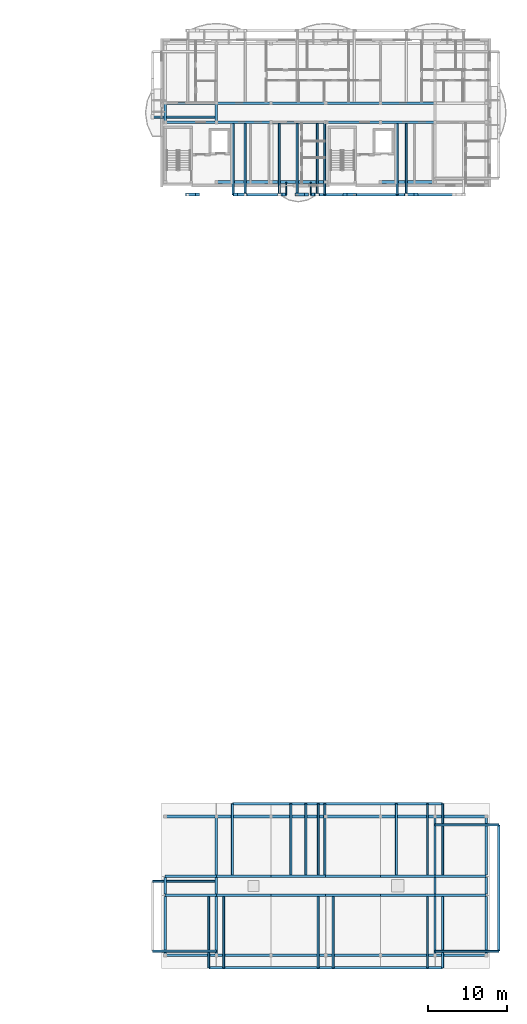
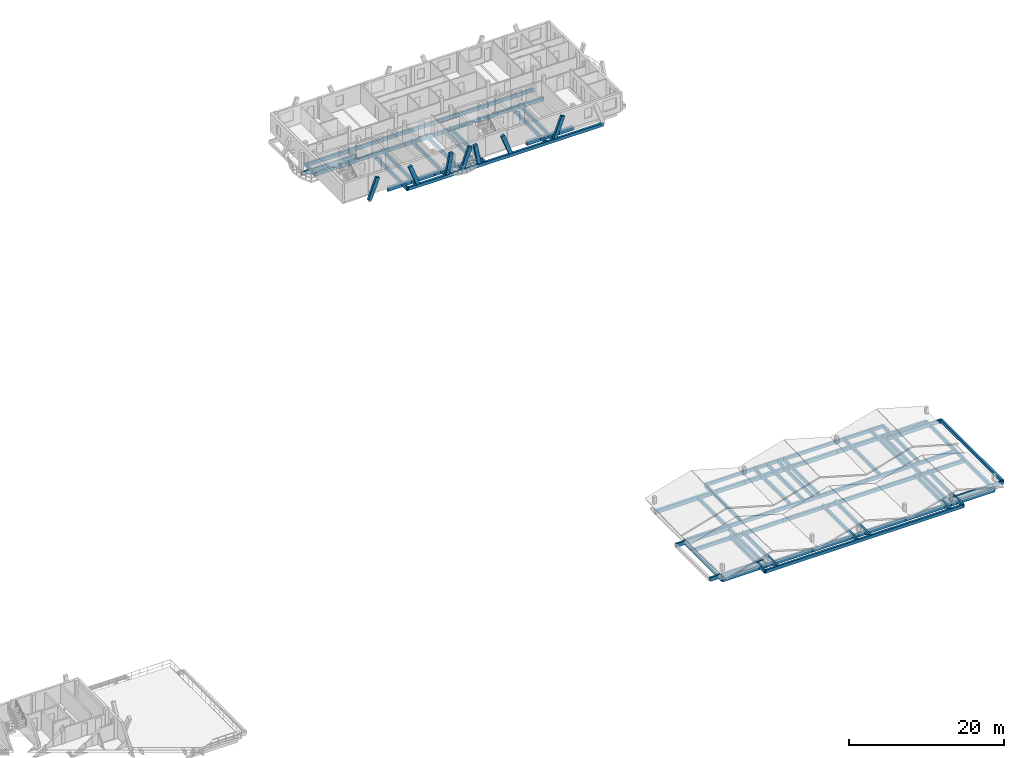
# One storey, part 6 of 33: 83 beams, 7 members.
"""IFC4 building model written with IfcOpenShell, lengths in metres."""

from ifc_helpers import new_model, si_unit, direction, frame, origin, origin_2d, place, context, subcontext, project, spatial, rectangle, i_section, extrude, material, material_profile, profile_set, type_object, element, save


model = new_model("IFC4")

# Units and contexts
model_context = context("Model", 3, precision=1e-05, world=origin(), true_north=direction((0.0, 1.0)))
body_context = subcontext(model_context, "Body", "Model", "MODEL_VIEW")
ifc_project = project(units=[si_unit("LENGTHUNIT", "METRE"), si_unit("AREAUNIT", "SQUARE_METRE"), si_unit("VOLUMEUNIT", "CUBIC_METRE"), si_unit("PLANEANGLEUNIT", "RADIAN"), si_unit("MASSUNIT", "GRAM", prefix="KILO")], contexts=[model_context])

# Site, building, storey
site_placement = place(None, origin())
site = spatial("IfcSite", under=ifc_project, at=site_placement, CompositionType="ELEMENT")
building_placement = place(site_placement, origin())
building = spatial("IfcBuilding", under=site, at=building_placement, Name="Zavelmont Quarter", CompositionType="ELEMENT")
storey_placement = place(building_placement, frame((0.0, 0.0, 30.39990234375)))
storey = spatial("IfcBuildingStorey", under=building, at=storey_placement, Name="L09", CompositionType="ELEMENT", Elevation=30.39990234375)

# Beams
ifc_material_1 = material(Name="Concrete C35/45", Category="concrete")
ifc_material_profile_1 = material_profile(ifc_material_1, rectangle(XDim=0.35009765625, YDim=0.60009765625, at=origin_2d()), Name="RC350X600")
ifc_profile_set_1 = profile_set([ifc_material_profile_1], Name="Concrete C35/45")
beam_type_1 = type_object("IfcBeamType", Name="BM01", PredefinedType="SPANDREL", material=ifc_profile_set_1)
beam_1_placement = place(storey_placement, frame((133.5, 98.0400390625, -0.539794921875), z_axis=(1.0, 0.0, 0.0), x_axis=(0.0, 1.0, 0.0)))
element("IfcBeam", 1, at=beam_1_placement, inside=storey, type_object=beam_type_1, Name="L09 beam BM01 20/P to 21/P", PredefinedType="SPANDREL", context=body_context, shape_type="SweptSolid", body=[
    extrude(rectangle(XDim=0.35009765625, YDim=0.60009765625, at=origin_2d()), origin(), (0.0, 0.0, 1.0), 6.89990234375),
])
for number, where, z_axis, x_axis, name in (
    (2, (140.39990234375, 98.0400390625, -0.539794921875), (1.0, 0.0, 0.0), (0.0, 1.0, 0.0), "L09 beam BM01 21/P to 22/P"),
    (3, (154.199951171875, 98.0400390625, -0.539794921875), (1.0, 0.0, 0.0), (0.0, 1.0, 0.0), "L09 beam BM01 23/P to 24/P"),
):
    element("IfcBeam", number, at=place(storey_placement, frame(where, z_axis=z_axis, x_axis=x_axis)), inside=storey, type_object=beam_type_1, Name=name, PredefinedType="SPANDREL", context=body_context, shape_type="SweptSolid", body=[
        extrude(rectangle(XDim=0.35009765625, YDim=0.60009765625, at=origin_2d()), origin(), (0.0, 0.0, 1.0), 6.900146484375),
    ])
beam_2_placement = place(storey_placement, frame((127.0400390625, 0.43994140625, -0.58984375), z_axis=(1.0, 0.0, 0.0), x_axis=(0.0, 1.0, 0.0)))
element("IfcBeam", 4, at=beam_2_placement, inside=storey, type_object=beam_type_1, Name="L09 beam BM01 19/A to 20/A", PredefinedType="SPANDREL", context=body_context, shape_type="SweptSolid", body=[
    extrude(rectangle(XDim=0.35009765625, YDim=0.60009765625, at=origin_2d()), origin(), (0.0, 0.0, 1.0), 6.4599609375),
])
beam_3_placement = place(storey_placement, frame((133.5, 0.43994140625, -0.58984375), z_axis=(1.0, 0.0, 0.0), x_axis=(0.0, 1.0, 0.0)))
element("IfcBeam", 5, at=beam_3_placement, inside=storey, type_object=beam_type_1, Name="L09 beam BM01 20/A to 21/A", PredefinedType="SPANDREL", context=body_context, shape_type="SweptSolid", body=[
    extrude(rectangle(XDim=0.35009765625, YDim=0.60009765625, at=origin_2d()), origin(), (0.0, 0.0, 1.0), 6.89990234375),
])
beam_4_placement = place(storey_placement, frame((140.39990234375, 0.43994140625, -0.58984375), z_axis=(1.0, 0.0, 0.0), x_axis=(0.0, 1.0, 0.0)))
element("IfcBeam", 6, at=beam_4_placement, inside=storey, type_object=beam_type_1, Name="L09 beam BM01 21/A to 22/A", PredefinedType="SPANDREL", context=body_context, shape_type="SweptSolid", body=[
    extrude(rectangle(XDim=0.35009765625, YDim=0.60009765625, at=origin_2d()), origin(), (0.0, 0.0, 1.0), 6.900146484375),
])
beam_5_placement = place(storey_placement, frame((147.300048828125, 0.43994140625, -0.58984375), z_axis=(1.0, 0.0, 0.0), x_axis=(0.0, 1.0, 0.0)))
element("IfcBeam", 7, at=beam_5_placement, inside=storey, type_object=beam_type_1, Name="L09 beam BM01 22/A to 23/A", PredefinedType="SPANDREL", context=body_context, shape_type="SweptSolid", body=[
    extrude(rectangle(XDim=0.35009765625, YDim=0.60009765625, at=origin_2d()), origin(), (0.0, 0.0, 1.0), 6.89990234375),
])
beam_6_placement = place(storey_placement, frame((154.199951171875, 0.43994140625, -0.58984375), z_axis=(1.0, 0.0, 0.0), x_axis=(0.0, 1.0, 0.0)))
element("IfcBeam", 8, at=beam_6_placement, inside=storey, type_object=beam_type_1, Name="L09 beam BM01 23/A to 24/A", PredefinedType="SPANDREL", context=body_context, shape_type="SweptSolid", body=[
    extrude(rectangle(XDim=0.35009765625, YDim=0.60009765625, at=origin_2d()), origin(), (0.0, 0.0, 1.0), 6.900146484375),
])
for number, where, z_axis, x_axis, name in (
    (9, (161.10009765625, 0.43994140625, -0.58984375), (1.0, 0.0, 0.0), (0.0, 1.0, 0.0), "L09 beam BM01 24/A to 25/A"),
    (10, (127.0400390625, 17.9599609375, -0.58984375), (1.0, 0.0, 0.0), (0.0, 1.0, 0.0), "L09 beam BM01 19/D to 20/D"),
):
    element("IfcBeam", number, at=place(storey_placement, frame(where, z_axis=z_axis, x_axis=x_axis)), inside=storey, type_object=beam_type_1, Name=name, PredefinedType="SPANDREL", context=body_context, shape_type="SweptSolid", body=[
        extrude(rectangle(XDim=0.35009765625, YDim=0.60009765625, at=origin_2d()), origin(), (0.0, 0.0, 1.0), 6.4599609375),
    ])
beam_7_placement = place(storey_placement, frame((133.5, 17.9599609375, -0.58984375), z_axis=(1.0, 0.0, 0.0), x_axis=(0.0, 1.0, 0.0)))
element("IfcBeam", 11, at=beam_7_placement, inside=storey, type_object=beam_type_1, Name="L09 beam BM01 20/D to 21/D", PredefinedType="SPANDREL", context=body_context, shape_type="SweptSolid", body=[
    extrude(rectangle(XDim=0.35009765625, YDim=0.60009765625, at=origin_2d()), origin(), (0.0, 0.0, 1.0), 6.89990234375),
])
beam_8_placement = place(storey_placement, frame((140.39990234375, 17.9599609375, -0.58984375), z_axis=(1.0, 0.0, 0.0), x_axis=(0.0, 1.0, 0.0)))
element("IfcBeam", 12, at=beam_8_placement, inside=storey, type_object=beam_type_1, Name="L09 beam BM01 21/D to 22/D", PredefinedType="SPANDREL", context=body_context, shape_type="SweptSolid", body=[
    extrude(rectangle(XDim=0.35009765625, YDim=0.60009765625, at=origin_2d()), origin(), (0.0, 0.0, 1.0), 6.900146484375),
])
beam_9_placement = place(storey_placement, frame((147.300048828125, 17.9599609375, -0.58984375), z_axis=(1.0, 0.0, 0.0), x_axis=(0.0, 1.0, 0.0)))
element("IfcBeam", 13, at=beam_9_placement, inside=storey, type_object=beam_type_1, Name="L09 beam BM01 22/D to 23/D", PredefinedType="SPANDREL", context=body_context, shape_type="SweptSolid", body=[
    extrude(rectangle(XDim=0.35009765625, YDim=0.60009765625, at=origin_2d()), origin(), (0.0, 0.0, 1.0), 6.89990234375),
])
beam_10_placement = place(storey_placement, frame((154.199951171875, 17.9599609375, -0.58984375), z_axis=(1.0, 0.0, 0.0), x_axis=(0.0, 1.0, 0.0)))
element("IfcBeam", 14, at=beam_10_placement, inside=storey, type_object=beam_type_1, Name="L09 beam BM01 23/D to 24/D", PredefinedType="SPANDREL", context=body_context, shape_type="SweptSolid", body=[
    extrude(rectangle(XDim=0.35009765625, YDim=0.60009765625, at=origin_2d()), origin(), (0.0, 0.0, 1.0), 6.900146484375),
])
beam_11_placement = place(storey_placement, frame((161.10009765625, 17.9599609375, -0.58984375), z_axis=(1.0, 0.0, 0.0), x_axis=(0.0, 1.0, 0.0)))
element("IfcBeam", 15, at=beam_11_placement, inside=storey, type_object=beam_type_1, Name="L09 beam BM01 24/D to 25/D", PredefinedType="SPANDREL", context=body_context, shape_type="SweptSolid", body=[
    extrude(rectangle(XDim=0.35009765625, YDim=0.60009765625, at=origin_2d()), origin(), (0.0, 0.0, 1.0), 6.4599609375),
])
ifc_material_profile_2 = material_profile(ifc_material_1, rectangle(XDim=0.300048828125, YDim=0.550048828125, at=origin_2d()), Name="RC300X550")
ifc_profile_set_2 = profile_set([ifc_material_profile_2], Name="Concrete C35/45")
beam_type_2 = type_object("IfcBeamType", Name="BM02", PredefinedType="SPANDREL", material=ifc_profile_set_2)
beam_12_placement = place(storey_placement, frame((127.0400390625, 105.60009765625, -0.514892578125), z_axis=(1.0, 0.0, 0.0), x_axis=(0.0, 1.0, 0.0)))
element("IfcBeam", 16, at=beam_12_placement, inside=storey, type_object=beam_type_2, Name="L09 beam BM02 19/Q to 20/Q", PredefinedType="SPANDREL", context=body_context, shape_type="SweptSolid", body=[
    extrude(rectangle(XDim=0.300048828125, YDim=0.550048828125, at=origin_2d()), origin(), (0.0, 0.0, 1.0), 6.4599609375),
])
beam_13_placement = place(storey_placement, frame((133.5, 105.60009765625, -0.514892578125), z_axis=(1.0, 0.0, 0.0), x_axis=(0.0, 1.0, 0.0)))
element("IfcBeam", 17, at=beam_13_placement, inside=storey, type_object=beam_type_2, Name="L09 beam BM02 20/Q to 21/Q", PredefinedType="SPANDREL", context=body_context, shape_type="SweptSolid", body=[
    extrude(rectangle(XDim=0.300048828125, YDim=0.550048828125, at=origin_2d()), origin(), (0.0, 0.0, 1.0), 6.89990234375),
])
beam_14_placement = place(storey_placement, frame((140.39990234375, 105.60009765625, -0.514892578125), z_axis=(1.0, 0.0, 0.0), x_axis=(0.0, 1.0, 0.0)))
element("IfcBeam", 18, at=beam_14_placement, inside=storey, type_object=beam_type_2, Name="L09 beam BM02 21/Q to 22/Q", PredefinedType="SPANDREL", context=body_context, shape_type="SweptSolid", body=[
    extrude(rectangle(XDim=0.300048828125, YDim=0.550048828125, at=origin_2d()), origin(), (0.0, 0.0, 1.0), 6.900146484375),
])
beam_15_placement = place(storey_placement, frame((147.300048828125, 105.60009765625, -0.514892578125), z_axis=(1.0, 0.0, 0.0), x_axis=(0.0, 1.0, 0.0)))
element("IfcBeam", 19, at=beam_15_placement, inside=storey, type_object=beam_type_2, Name="L09 beam BM02 22/Q to 23/Q", PredefinedType="SPANDREL", context=body_context, shape_type="SweptSolid", body=[
    extrude(rectangle(XDim=0.300048828125, YDim=0.550048828125, at=origin_2d()), origin(), (0.0, 0.0, 1.0), 6.89990234375),
])
beam_16_placement = place(storey_placement, frame((154.199951171875, 105.60009765625, -0.514892578125), z_axis=(1.0, 0.0, 0.0), x_axis=(0.0, 1.0, 0.0)))
element("IfcBeam", 20, at=beam_16_placement, inside=storey, type_object=beam_type_2, Name="L09 beam BM02 23/Q to 24/Q", PredefinedType="SPANDREL", context=body_context, shape_type="SweptSolid", body=[
    extrude(rectangle(XDim=0.300048828125, YDim=0.550048828125, at=origin_2d()), origin(), (0.0, 0.0, 1.0), 6.900146484375),
])
beam_17_placement = place(storey_placement, frame((127.0400390625, 108.0, -0.514892578125), z_axis=(1.0, 0.0, 0.0), x_axis=(0.0, 1.0, 0.0)))
element("IfcBeam", 21, at=beam_17_placement, inside=storey, type_object=beam_type_2, Name="L09 beam BM02 19/R to 20/R", PredefinedType="SPANDREL", context=body_context, shape_type="SweptSolid", body=[
    extrude(rectangle(XDim=0.300048828125, YDim=0.550048828125, at=origin_2d()), origin(), (0.0, 0.0, 1.0), 6.4599609375),
])
beam_18_placement = place(storey_placement, frame((133.5, 108.0, -0.514892578125), z_axis=(1.0, 0.0, 0.0), x_axis=(0.0, 1.0, 0.0)))
element("IfcBeam", 22, at=beam_18_placement, inside=storey, type_object=beam_type_2, Name="L09 beam BM02 20/R to 21/R", PredefinedType="SPANDREL", context=body_context, shape_type="SweptSolid", body=[
    extrude(rectangle(XDim=0.300048828125, YDim=0.550048828125, at=origin_2d()), origin(), (0.0, 0.0, 1.0), 6.89990234375),
])
beam_19_placement = place(storey_placement, frame((140.39990234375, 108.0, -0.514892578125), z_axis=(1.0, 0.0, 0.0), x_axis=(0.0, 1.0, 0.0)))
element("IfcBeam", 23, at=beam_19_placement, inside=storey, type_object=beam_type_2, Name="L09 beam BM02 21/R to 22/R", PredefinedType="SPANDREL", context=body_context, shape_type="SweptSolid", body=[
    extrude(rectangle(XDim=0.300048828125, YDim=0.550048828125, at=origin_2d()), origin(), (0.0, 0.0, 1.0), 6.900146484375),
])
beam_20_placement = place(storey_placement, frame((147.300048828125, 108.0, -0.514892578125), z_axis=(1.0, 0.0, 0.0), x_axis=(0.0, 1.0, 0.0)))
element("IfcBeam", 24, at=beam_20_placement, inside=storey, type_object=beam_type_2, Name="L09 beam BM02 22/R to 23/R", PredefinedType="SPANDREL", context=body_context, shape_type="SweptSolid", body=[
    extrude(rectangle(XDim=0.300048828125, YDim=0.550048828125, at=origin_2d()), origin(), (0.0, 0.0, 1.0), 6.89990234375),
])
beam_21_placement = place(storey_placement, frame((154.199951171875, 108.0, -0.514892578125), z_axis=(1.0, 0.0, 0.0), x_axis=(0.0, 1.0, 0.0)))
element("IfcBeam", 25, at=beam_21_placement, inside=storey, type_object=beam_type_2, Name="L09 beam BM02 23/R to 24/R", PredefinedType="SPANDREL", context=body_context, shape_type="SweptSolid", body=[
    extrude(rectangle(XDim=0.300048828125, YDim=0.550048828125, at=origin_2d()), origin(), (0.0, 0.0, 1.0), 6.900146484375),
])
for number, where, z_axis, x_axis, name in (
    (26, (127.0400390625, 105.60009765625, -0.514892578125), (0.0, 1.0, 0.0), (-1.0, 0.0, 0.0), "L09 beam BM02 19/Q to 19/R"),
    (27, (133.5, 105.60009765625, -0.514892578125), (0.0, 1.0, 0.0), (-1.0, 0.0, 0.0), "L09 beam BM02 20/Q to 20/R"),
):
    element("IfcBeam", number, at=place(storey_placement, frame(where, z_axis=z_axis, x_axis=x_axis)), inside=storey, type_object=beam_type_2, Name=name, PredefinedType="SPANDREL", context=body_context, shape_type="SweptSolid", body=[
        extrude(rectangle(XDim=0.300048828125, YDim=0.550048828125, at=origin_2d()), origin(), (0.0, 0.0, 1.0), 2.39990234375),
    ])
beam_22_placement = place(storey_placement, frame((127.0400390625, 8.0, -0.56494140625), z_axis=(1.0, 0.0, 0.0), x_axis=(0.0, 1.0, 0.0)))
element("IfcBeam", 28, at=beam_22_placement, inside=storey, type_object=beam_type_2, Name="L09 beam BM02 19/B to 20/B", PredefinedType="SPANDREL", context=body_context, shape_type="SweptSolid", body=[
    extrude(rectangle(XDim=0.300048828125, YDim=0.550048828125, at=origin_2d()), origin(), (0.0, 0.0, 1.0), 6.4599609375),
])
beam_23_placement = place(storey_placement, frame((133.5, 8.0, -0.56494140625), z_axis=(1.0, 0.0, 0.0), x_axis=(0.0, 1.0, 0.0)))
element("IfcBeam", 29, at=beam_23_placement, inside=storey, type_object=beam_type_2, Name="L09 beam BM02 20/B to 21/B", PredefinedType="SPANDREL", context=body_context, shape_type="SweptSolid", body=[
    extrude(rectangle(XDim=0.300048828125, YDim=0.550048828125, at=origin_2d()), origin(), (0.0, 0.0, 1.0), 6.89990234375),
])
beam_24_placement = place(storey_placement, frame((140.39990234375, 8.0, -0.56494140625), z_axis=(1.0, 0.0, 0.0), x_axis=(0.0, 1.0, 0.0)))
element("IfcBeam", 30, at=beam_24_placement, inside=storey, type_object=beam_type_2, Name="L09 beam BM02 21/B to 22/B", PredefinedType="SPANDREL", context=body_context, shape_type="SweptSolid", body=[
    extrude(rectangle(XDim=0.300048828125, YDim=0.550048828125, at=origin_2d()), origin(), (0.0, 0.0, 1.0), 6.900146484375),
])
beam_25_placement = place(storey_placement, frame((147.300048828125, 8.0, -0.56494140625), z_axis=(1.0, 0.0, 0.0), x_axis=(0.0, 1.0, 0.0)))
element("IfcBeam", 31, at=beam_25_placement, inside=storey, type_object=beam_type_2, Name="L09 beam BM02 22/B to 23/B", PredefinedType="SPANDREL", context=body_context, shape_type="SweptSolid", body=[
    extrude(rectangle(XDim=0.300048828125, YDim=0.550048828125, at=origin_2d()), origin(), (0.0, 0.0, 1.0), 6.89990234375),
])
beam_26_placement = place(storey_placement, frame((154.199951171875, 8.0, -0.56494140625), z_axis=(1.0, 0.0, 0.0), x_axis=(0.0, 1.0, 0.0)))
element("IfcBeam", 32, at=beam_26_placement, inside=storey, type_object=beam_type_2, Name="L09 beam BM02 23/B to 24/B", PredefinedType="SPANDREL", context=body_context, shape_type="SweptSolid", body=[
    extrude(rectangle(XDim=0.300048828125, YDim=0.550048828125, at=origin_2d()), origin(), (0.0, 0.0, 1.0), 6.900146484375),
])
for number, where, z_axis, x_axis, name in (
    (33, (161.10009765625, 8.0, -0.56494140625), (1.0, 0.0, 0.0), (0.0, 1.0, 0.0), "L09 beam BM02 24/B to 25/B"),
    (34, (127.0400390625, 10.39990234375, -0.56494140625), (1.0, 0.0, 0.0), (0.0, 1.0, 0.0), "L09 beam BM02 19/C to 20/C"),
):
    element("IfcBeam", number, at=place(storey_placement, frame(where, z_axis=z_axis, x_axis=x_axis)), inside=storey, type_object=beam_type_2, Name=name, PredefinedType="SPANDREL", context=body_context, shape_type="SweptSolid", body=[
        extrude(rectangle(XDim=0.300048828125, YDim=0.550048828125, at=origin_2d()), origin(), (0.0, 0.0, 1.0), 6.4599609375),
    ])
beam_27_placement = place(storey_placement, frame((133.5, 10.39990234375, -0.56494140625), z_axis=(1.0, 0.0, 0.0), x_axis=(0.0, 1.0, 0.0)))
element("IfcBeam", 35, at=beam_27_placement, inside=storey, type_object=beam_type_2, Name="L09 beam BM02 20/C to 21/C", PredefinedType="SPANDREL", context=body_context, shape_type="SweptSolid", body=[
    extrude(rectangle(XDim=0.300048828125, YDim=0.550048828125, at=origin_2d()), origin(), (0.0, 0.0, 1.0), 6.89990234375),
])
beam_28_placement = place(storey_placement, frame((140.39990234375, 10.39990234375, -0.56494140625), z_axis=(1.0, 0.0, 0.0), x_axis=(0.0, 1.0, 0.0)))
element("IfcBeam", 36, at=beam_28_placement, inside=storey, type_object=beam_type_2, Name="L09 beam BM02 21/C to 22/C", PredefinedType="SPANDREL", context=body_context, shape_type="SweptSolid", body=[
    extrude(rectangle(XDim=0.300048828125, YDim=0.550048828125, at=origin_2d()), origin(), (0.0, 0.0, 1.0), 6.900146484375),
])
beam_29_placement = place(storey_placement, frame((147.300048828125, 10.39990234375, -0.56494140625), z_axis=(1.0, 0.0, 0.0), x_axis=(0.0, 1.0, 0.0)))
element("IfcBeam", 37, at=beam_29_placement, inside=storey, type_object=beam_type_2, Name="L09 beam BM02 22/C to 23/C", PredefinedType="SPANDREL", context=body_context, shape_type="SweptSolid", body=[
    extrude(rectangle(XDim=0.300048828125, YDim=0.550048828125, at=origin_2d()), origin(), (0.0, 0.0, 1.0), 6.89990234375),
])
beam_30_placement = place(storey_placement, frame((154.199951171875, 10.39990234375, -0.56494140625), z_axis=(1.0, 0.0, 0.0), x_axis=(0.0, 1.0, 0.0)))
element("IfcBeam", 38, at=beam_30_placement, inside=storey, type_object=beam_type_2, Name="L09 beam BM02 23/C to 24/C", PredefinedType="SPANDREL", context=body_context, shape_type="SweptSolid", body=[
    extrude(rectangle(XDim=0.300048828125, YDim=0.550048828125, at=origin_2d()), origin(), (0.0, 0.0, 1.0), 6.900146484375),
])
beam_31_placement = place(storey_placement, frame((161.10009765625, 10.39990234375, -0.56494140625), z_axis=(1.0, 0.0, 0.0), x_axis=(0.0, 1.0, 0.0)))
element("IfcBeam", 39, at=beam_31_placement, inside=storey, type_object=beam_type_2, Name="L09 beam BM02 24/C to 25/C", PredefinedType="SPANDREL", context=body_context, shape_type="SweptSolid", body=[
    extrude(rectangle(XDim=0.300048828125, YDim=0.550048828125, at=origin_2d()), origin(), (0.0, 0.0, 1.0), 6.4599609375),
])
beam_32_placement = place(storey_placement, frame((127.0400390625, 0.43994140625, -0.56494140625), z_axis=(0.0, 1.0, 0.0), x_axis=(-1.0, 0.0, 0.0)))
element("IfcBeam", 40, at=beam_32_placement, inside=storey, type_object=beam_type_2, Name="L09 beam BM02 19/A to 19/B", PredefinedType="SPANDREL", context=body_context, shape_type="SweptSolid", body=[
    extrude(rectangle(XDim=0.300048828125, YDim=0.550048828125, at=origin_2d()), origin(), (0.0, 0.0, 1.0), 7.420166015625),
])
beam_33_placement = place(storey_placement, frame((127.0400390625, 8.139892578125, -0.56494140625), z_axis=(0.0, 1.0, 0.0), x_axis=(-1.0, 0.0, 0.0)))
element("IfcBeam", 41, at=beam_33_placement, inside=storey, type_object=beam_type_2, Name="L09 beam BM02 19/B to 19/C", PredefinedType="SPANDREL", context=body_context, shape_type="SweptSolid", body=[
    extrude(rectangle(XDim=0.300048828125, YDim=0.550048828125, at=origin_2d()), origin(), (0.0, 0.0, 1.0), 2.1201171875),
])
beam_34_placement = place(storey_placement, frame((133.5, 0.43994140625, -0.56494140625), z_axis=(0.0, 1.0, 0.0), x_axis=(-1.0, 0.0, 0.0)))
element("IfcBeam", 42, at=beam_34_placement, inside=storey, type_object=beam_type_2, Name="L09 beam BM02 20/A to 20/B", PredefinedType="SPANDREL", context=body_context, shape_type="SweptSolid", body=[
    extrude(rectangle(XDim=0.300048828125, YDim=0.550048828125, at=origin_2d()), origin(), (0.0, 0.0, 1.0), 7.420166015625),
])
beam_35_placement = place(storey_placement, frame((133.5, 8.139892578125, -0.56494140625), z_axis=(0.0, 1.0, 0.0), x_axis=(-1.0, 0.0, 0.0)))
element("IfcBeam", 43, at=beam_35_placement, inside=storey, type_object=beam_type_2, Name="L09 beam BM02 20/B to 20/C", PredefinedType="SPANDREL", context=body_context, shape_type="SweptSolid", body=[
    extrude(rectangle(XDim=0.300048828125, YDim=0.550048828125, at=origin_2d()), origin(), (0.0, 0.0, 1.0), 2.1201171875),
])
beam_36_placement = place(storey_placement, frame((133.5, 10.5400390625, -0.56494140625), z_axis=(0.0, 1.0, 0.0), x_axis=(-1.0, 0.0, 0.0)))
element("IfcBeam", 44, at=beam_36_placement, inside=storey, type_object=beam_type_2, Name="L09 beam BM02 20/C to 20/D", PredefinedType="SPANDREL", context=body_context, shape_type="SweptSolid", body=[
    extrude(rectangle(XDim=0.300048828125, YDim=0.550048828125, at=origin_2d()), origin(), (0.0, 0.0, 1.0), 7.419921875),
])
beam_37_placement = place(storey_placement, frame((161.10009765625, 0.43994140625, -0.56494140625), z_axis=(0.0, 1.0, 0.0), x_axis=(-1.0, 0.0, 0.0)))
element("IfcBeam", 45, at=beam_37_placement, inside=storey, type_object=beam_type_2, Name="L09 beam BM02 24/A to 24/B", PredefinedType="SPANDREL", context=body_context, shape_type="SweptSolid", body=[
    extrude(rectangle(XDim=0.300048828125, YDim=0.550048828125, at=origin_2d()), origin(), (0.0, 0.0, 1.0), 7.420166015625),
])
beam_38_placement = place(storey_placement, frame((161.10009765625, 8.139892578125, -0.56494140625), z_axis=(0.0, 1.0, 0.0), x_axis=(-1.0, 0.0, 0.0)))
element("IfcBeam", 46, at=beam_38_placement, inside=storey, type_object=beam_type_2, Name="L09 beam BM02 24/B to 24/C", PredefinedType="SPANDREL", context=body_context, shape_type="SweptSolid", body=[
    extrude(rectangle(XDim=0.300048828125, YDim=0.550048828125, at=origin_2d()), origin(), (0.0, 0.0, 1.0), 2.1201171875),
])
beam_39_placement = place(storey_placement, frame((161.10009765625, 10.5400390625, -0.56494140625), z_axis=(0.0, 1.0, 0.0), x_axis=(-1.0, 0.0, 0.0)))
element("IfcBeam", 47, at=beam_39_placement, inside=storey, type_object=beam_type_2, Name="L09 beam BM02 24/C to 24/D", PredefinedType="SPANDREL", context=body_context, shape_type="SweptSolid", body=[
    extrude(rectangle(XDim=0.300048828125, YDim=0.550048828125, at=origin_2d()), origin(), (0.0, 0.0, 1.0), 7.419921875),
])
beam_40_placement = place(storey_placement, frame((167.56005859375, 0.43994140625, -0.56494140625), z_axis=(0.0, 1.0, 0.0), x_axis=(-1.0, 0.0, 0.0)))
element("IfcBeam", 48, at=beam_40_placement, inside=storey, type_object=beam_type_2, Name="L09 beam BM02 25/A to 25/B", PredefinedType="SPANDREL", context=body_context, shape_type="SweptSolid", body=[
    extrude(rectangle(XDim=0.300048828125, YDim=0.550048828125, at=origin_2d()), origin(), (0.0, 0.0, 1.0), 7.420166015625),
])
beam_41_placement = place(storey_placement, frame((167.56005859375, 8.139892578125, -0.56494140625), z_axis=(0.0, 1.0, 0.0), x_axis=(-1.0, 0.0, 0.0)))
element("IfcBeam", 49, at=beam_41_placement, inside=storey, type_object=beam_type_2, Name="L09 beam BM02 25/B to 25/C", PredefinedType="SPANDREL", context=body_context, shape_type="SweptSolid", body=[
    extrude(rectangle(XDim=0.300048828125, YDim=0.550048828125, at=origin_2d()), origin(), (0.0, 0.0, 1.0), 2.1201171875),
])
beam_42_placement = place(storey_placement, frame((167.56005859375, 10.5400390625, -0.56494140625), z_axis=(0.0, 1.0, 0.0), x_axis=(-1.0, 0.0, 0.0)))
element("IfcBeam", 50, at=beam_42_placement, inside=storey, type_object=beam_type_2, Name="L09 beam BM02 25/C to 25/D", PredefinedType="SPANDREL", context=body_context, shape_type="SweptSolid", body=[
    extrude(rectangle(XDim=0.300048828125, YDim=0.550048828125, at=origin_2d()), origin(), (0.0, 0.0, 1.0), 7.419921875),
])
ifc_material_profile_3 = material_profile(ifc_material_1, rectangle(XDim=0.300048828125, YDim=0.5, at=origin_2d()), Name="RC300X500")
ifc_profile_set_3 = profile_set([ifc_material_profile_3], Name="Concrete C35/45")
beam_type_3 = type_object("IfcBeamType", Name="BM03", PredefinedType="BEAM", material=ifc_profile_set_3)
beam_43_placement = place(storey_placement, frame((135.625, 96.449951171875, -0.25), z_axis=(1.0, 0.0, 0.0), x_axis=(0.0, 1.0, 0.0)))
element("IfcBeam", 51, at=beam_43_placement, inside=storey, type_object=beam_type_3, Name="L09 beam BM03 20/P to 25/P", PredefinedType="BEAM", context=body_context, shape_type="SweptSolid", body=[
    extrude(rectangle(XDim=0.300048828125, YDim=0.5, at=origin_2d()), origin(), (0.0, 0.0, 1.0), 29.092041015625),
])
beam_44_placement = place(storey_placement, frame((132.550048828125, -1.14990234375, -0.25), z_axis=(1.0, 0.0, 0.0), x_axis=(0.0, 1.0, 0.0)))
element("IfcBeam", 52, at=beam_44_placement, inside=storey, type_object=beam_type_3, Name="L09 beam BM03 20/A to 24/A", PredefinedType="BEAM", context=body_context, shape_type="SweptSolid", body=[
    extrude(rectangle(XDim=0.300048828125, YDim=0.5, at=origin_2d()), origin(), (0.0, 0.0, 1.0), 29.5),
])
beam_45_placement = place(storey_placement, frame((135.52490234375, 19.550048828125, -0.25), z_axis=(1.0, 0.0, 0.0), x_axis=(0.0, 1.0, 0.0)))
element("IfcBeam", 53, at=beam_45_placement, inside=storey, type_object=beam_type_3, Name="L09 beam BM03 20/D to 24/D", PredefinedType="BEAM", context=body_context, shape_type="SweptSolid", body=[
    extrude(rectangle(XDim=0.300048828125, YDim=0.5, at=origin_2d()), origin(), (0.0, 0.0, 1.0), 26.525146484375),
])
beam_46_placement = place(storey_placement, frame((169.14990234375, 0.949951171875, -0.25), z_axis=(0.0, 1.0, 0.0), x_axis=(-1.0, 0.0, 0.0)))
element("IfcBeam", 54, at=beam_46_placement, inside=storey, type_object=beam_type_3, Name="L09 beam BM03 25/A to 25/D", PredefinedType="BEAM", context=body_context, shape_type="SweptSolid", body=[
    extrude(rectangle(XDim=0.300048828125, YDim=0.5, at=origin_2d()), origin(), (0.0, 0.0, 1.0), 15.949951171875),
])
ifc_material_2 = material(Name="Steel S355", Category="steel")
ifc_material_profile_4 = material_profile(ifc_material_2, i_section(OverallWidth=0.110107421875, OverallDepth=0.219970703125, WebThickness=0.005859375, FlangeThickness=0.00927734375, at=origin_2d()), Name="IPE 220")
ifc_profile_set_4 = profile_set([ifc_material_profile_4], Name="Steel S355")
beam_type_4 = type_object("IfcBeamType", Name="BM15", PredefinedType="JOIST", material=ifc_profile_set_4)
for number, where, z_axis, x_axis, name in (
    (55, (142.300048828125, 98.0400390625, -0.35693359375), (0.0, -1.0, 0.0), (1.0, 0.0, 0.0), "L09 beam BM15 21/P to 21/P"),
    (56, (145.39990234375, 98.0400390625, -0.35693359375), (0.0, -1.0, 0.0), (1.0, 0.0, 0.0), "L09 beam BM15 22/P to 22/P"),
):
    element("IfcBeam", number, at=place(storey_placement, frame(where, z_axis=z_axis, x_axis=x_axis)), inside=storey, type_object=beam_type_4, Name=name, PredefinedType="JOIST", context=body_context, shape_type="SweptSolid", body=[
        extrude(i_section(OverallWidth=0.110107421875, OverallDepth=0.219970703125, WebThickness=0.005859375, FlangeThickness=0.00927734375, at=origin_2d()), origin(), (0.0, 0.0, 1.0), 1.590087890625),
    ])
ifc_material_3 = material(Name="Concrete C40/50", Category="concrete")
ifc_material_profile_5 = material_profile(ifc_material_3, rectangle(XDim=0.25, YDim=0.60009765625, at=origin_2d()), Name="RC250X600")
ifc_profile_set_5 = profile_set([ifc_material_profile_5], Name="Concrete C40/50")
beam_type_5 = type_object("IfcBeamType", Name="BM18", PredefinedType="BEAM", material=ifc_profile_set_5)
for number, where, z_axis, x_axis, name in (
    (57, (135.625, 105.60009765625, -0.2998046875), (0.0, -1.0, 0.0), (1.0, 0.0, 0.0), "L09 beam BM18 20/Q to 20/P"),
    (58, (137.116943359375, 105.60009765625, -0.2998046875), (0.0, -1.0, 0.0), (1.0, 0.0, 0.0), "L09 beam BM18 21/Q to 21/P"),
    (59, (143.68310546875, 105.60009765625, -0.2998046875), (0.0, -1.0, 0.0), (1.0, 0.0, 0.0), "L09 beam BM18 21/Q to 21/P"),
    (60, (147.199951171875, 105.60009765625, -0.2998046875), (0.0, -1.0, 0.0), (1.0, 0.0, 0.0), "L09 beam BM18 22/Q to 22/P"),
    (61, (156.324951171875, 105.60009765625, -0.2998046875), (0.0, -1.0, 0.0), (1.0, 0.0, 0.0), "L09 beam BM18 23/Q to 23/P"),
    (62, (157.483154296875, 105.60009765625, -0.2998046875), (0.0, -1.0, 0.0), (1.0, 0.0, 0.0), "L09 beam BM18 23/Q to 23/P"),
    (63, (141.45947265625, 105.60009765625, -0.2998046875), (0.0, -1.0, 0.0), (1.0, 0.0, 0.0), "L09 beam BM18 21/Q to 21/P"),
    (64, (146.240478515625, 105.60009765625, -0.2998046875), (0.0, -1.0, 0.0), (1.0, 0.0, 0.0), "L09 beam BM18 22/Q to 22/P"),
):
    element("IfcBeam", number, at=place(storey_placement, frame(where, z_axis=z_axis, x_axis=x_axis)), inside=storey, type_object=beam_type_5, Name=name, PredefinedType="BEAM", context=body_context, shape_type="SweptSolid", body=[
        extrude(rectangle(XDim=0.25, YDim=0.60009765625, at=origin_2d()), origin(), (0.0, 0.0, 1.0), 9.150146484375),
    ])
beam_47_placement = place(storey_placement, frame((133.5, 106.25, -0.2998046875), z_axis=(-1.0, 0.0, 0.0), x_axis=(0.0, -1.0, 0.0)))
element("IfcBeam", 65, at=beam_47_placement, inside=storey, type_object=beam_type_5, Name="L09 beam BM18 20/Q to 19/Q", PredefinedType="BEAM", context=body_context, shape_type="SweptSolid", body=[
    extrude(rectangle(XDim=0.25, YDim=0.60009765625, at=origin_2d()), origin(), (0.0, 0.0, 1.0), 8.050048828125),
])
for number, where, z_axis, x_axis, name in (
    (66, (132.550048828125, 8.0, -0.2998046875), (0.0, -1.0, 0.0), (1.0, 0.0, 0.0), "L09 beam BM18 20/B to 20/A"),
    (67, (134.449951171875, 8.0, -0.2998046875), (0.0, -1.0, 0.0), (1.0, 0.0, 0.0), "L09 beam BM18 20/B to 20/A"),
    (68, (146.35009765625, 8.0, -0.2998046875), (0.0, -1.0, 0.0), (1.0, 0.0, 0.0), "L09 beam BM18 22/B to 22/A"),
    (69, (148.25, 8.0, -0.2998046875), (0.0, -1.0, 0.0), (1.0, 0.0, 0.0), "L09 beam BM18 22/B to 22/A"),
    (70, (160.14990234375, 8.0, -0.2998046875), (0.0, -1.0, 0.0), (1.0, 0.0, 0.0), "L09 beam BM18 24/B to 24/A"),
    (71, (162.050048828125, 8.0, -0.2998046875), (0.0, -1.0, 0.0), (1.0, 0.0, 0.0), "L09 beam BM18 24/B to 24/A"),
):
    element("IfcBeam", number, at=place(storey_placement, frame(where, z_axis=z_axis, x_axis=x_axis)), inside=storey, type_object=beam_type_5, Name=name, PredefinedType="BEAM", context=body_context, shape_type="SweptSolid", body=[
        extrude(rectangle(XDim=0.25, YDim=0.60009765625, at=origin_2d()), origin(), (0.0, 0.0, 1.0), 9.14990234375),
    ])
for number, where, z_axis, x_axis, name in (
    (72, (135.52490234375, 10.39990234375, -0.2998046875), (0.0, 1.0, 0.0), (-1.0, 0.0, 0.0), "L09 beam BM18 20/C to 20/D"),
    (73, (146.35009765625, 10.39990234375, -0.2998046875), (0.0, 1.0, 0.0), (-1.0, 0.0, 0.0), "L09 beam BM18 22/C to 22/D"),
    (74, (147.199951171875, 10.39990234375, -0.2998046875), (0.0, 1.0, 0.0), (-1.0, 0.0, 0.0), "L09 beam BM18 22/C to 22/D"),
    (75, (156.22509765625, 10.39990234375, -0.2998046875), (0.0, 1.0, 0.0), (-1.0, 0.0, 0.0), "L09 beam BM18 23/C to 23/D"),
    (76, (160.14990234375, 10.39990234375, -0.2998046875), (0.0, 1.0, 0.0), (-1.0, 0.0, 0.0), "L09 beam BM18 24/C to 24/D"),
    (77, (162.050048828125, 10.39990234375, -0.2998046875), (0.0, 1.0, 0.0), (-1.0, 0.0, 0.0), "L09 beam BM18 24/C to 24/D"),
    (78, (142.89990234375, 10.39990234375, -0.2998046875), (0.0, 1.0, 0.0), (-1.0, 0.0, 0.0), "L09 beam BM18 21/C to 21/D"),
    (79, (144.800048828125, 10.39990234375, -0.2998046875), (0.0, 1.0, 0.0), (-1.0, 0.0, 0.0), "L09 beam BM18 22/C to 22/D"),
):
    element("IfcBeam", number, at=place(storey_placement, frame(where, z_axis=z_axis, x_axis=x_axis)), inside=storey, type_object=beam_type_5, Name=name, PredefinedType="BEAM", context=body_context, shape_type="SweptSolid", body=[
        extrude(rectangle(XDim=0.25, YDim=0.60009765625, at=origin_2d()), origin(), (0.0, 0.0, 1.0), 9.150146484375),
    ])
for number, where, z_axis, x_axis, name in (
    (80, (161.10009765625, 0.949951171875, -0.2998046875), (1.0, 0.0, 0.0), (0.0, 1.0, 0.0), "L09 beam BM18 24/A to 25/A"),
    (81, (161.10009765625, 16.89990234375, -0.2998046875), (1.0, 0.0, 0.0), (0.0, 1.0, 0.0), "L09 beam BM18 24/D to 25/D"),
):
    element("IfcBeam", number, at=place(storey_placement, frame(where, z_axis=z_axis, x_axis=x_axis)), inside=storey, type_object=beam_type_5, Name=name, PredefinedType="BEAM", context=body_context, shape_type="SweptSolid", body=[
        extrude(rectangle(XDim=0.25, YDim=0.60009765625, at=origin_2d()), origin(), (0.0, 0.0, 1.0), 8.0498046875),
    ])
for number, where, z_axis, x_axis, name in (
    (82, (133.5, 0.949951171875, -0.2998046875), (-1.0, 0.0, 0.0), (0.0, -1.0, 0.0), "L09 beam BM18 20/A to 19/A"),
    (83, (133.5, 9.75, -0.2998046875), (-1.0, 0.0, 0.0), (0.0, -1.0, 0.0), "L09 beam BM18 20/C to 19/C"),
):
    element("IfcBeam", number, at=place(storey_placement, frame(where, z_axis=z_axis, x_axis=x_axis)), inside=storey, type_object=beam_type_5, Name=name, PredefinedType="BEAM", context=body_context, shape_type="SweptSolid", body=[
        extrude(rectangle(XDim=0.25, YDim=0.60009765625, at=origin_2d()), origin(), (0.0, 0.0, 1.0), 8.050048828125),
    ])

# Members
ifc_material_4 = material(Name="White architectural precast concrete C40/50", Category="concrete")
ifc_material_profile_6 = material_profile(ifc_material_4, rectangle(XDim=0.360107421875, YDim=0.5400390625, at=origin_2d()), Name="PCR280X420")
ifc_profile_set_6 = profile_set([ifc_material_profile_6], Name="White architectural precast concrete C40/50")
member_type = type_object("IfcMemberType", Name="VR02M", PredefinedType="CHORD", material=ifc_profile_set_6)
for number, where, z_axis, x_axis, name in (
    (84, (129.883056640625, 96.449951171875, 0.0), (0.353218739915, 0.0, 0.935540764357), (0.0, 1.0, 0.0), "L09 member VR02M 19/P to 20/P"),
    (85, (137.116943359375, 96.449951171875, 0.0), (-0.353218739915, 0.0, 0.935540764357), (0.0, -1.0, 0.0), "L09 member VR02M 21/P to 20/P"),
    (86, (143.68310546875, 96.449951171875, 0.0), (0.353156270399, 0.0, 0.935564347695), (0.0, 1.0, 0.0), "L09 member VR02M 21/P to 22/P"),
    (87, (150.9169921875, 96.449951171875, 0.0), (-0.353218739915, 0.0, 0.935540764357), (0.0, -1.0, 0.0), "L09 member VR02M 23/P to 22/P"),
    (88, (157.483154296875, 96.449951171875, 0.0), (0.353156270399, 0.0, 0.935564347695), (0.0, 1.0, 0.0), "L09 member VR02M 23/P to 24/P"),
):
    element("IfcMember", number, at=place(storey_placement, frame(where, z_axis=z_axis, x_axis=x_axis)), inside=storey, type_object=member_type, Name=name, PredefinedType="CHORD", context=body_context, shape_type="SweptSolid", body=[
        extrude(rectangle(XDim=0.360107421875, YDim=0.5400390625, at=origin_2d()), origin(), (0.0, 0.0, 1.0), 3.420654296875),
    ])
for number, where, z_axis, x_axis, name in (
    (89, (141.45947265625, 96.449951171875, 0.0), (0.188430545738, 0.0, 0.982086518303), (0.0, 1.0, 0.0), "L09 member VR02M 21/P to 21/P"),
    (90, (146.240478515625, 96.449951171875, 0.0), (-0.188430545738, 0.0, 0.982086518303), (0.0, -1.0, 0.0), "L09 member VR02M 22/P to 22/P"),
):
    element("IfcMember", number, at=place(storey_placement, frame(where, z_axis=z_axis, x_axis=x_axis)), inside=storey, type_object=member_type, Name=name, PredefinedType="CHORD", context=body_context, shape_type="SweptSolid", body=[
        extrude(rectangle(XDim=0.360107421875, YDim=0.5400390625, at=origin_2d()), origin(), (0.0, 0.0, 1.0), 3.258544921875),
    ])

save(model, "model.ifc")
